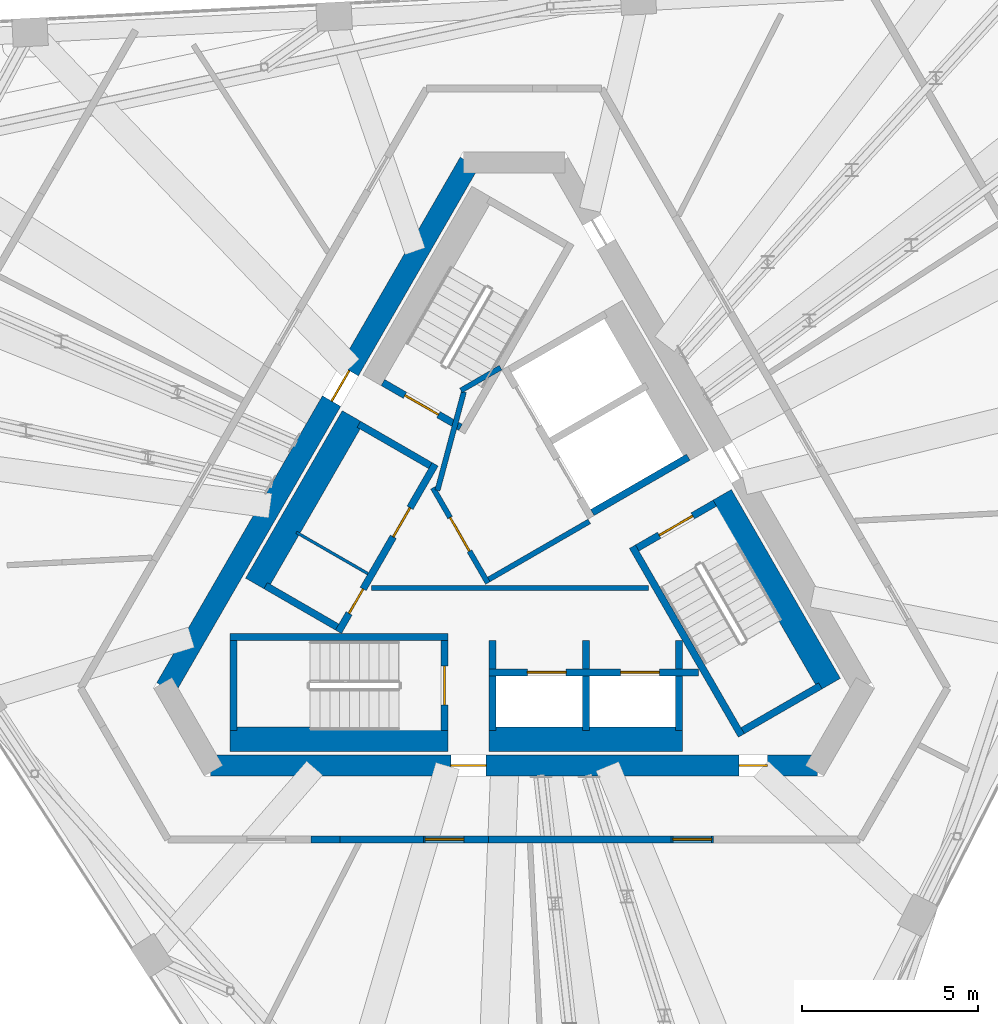
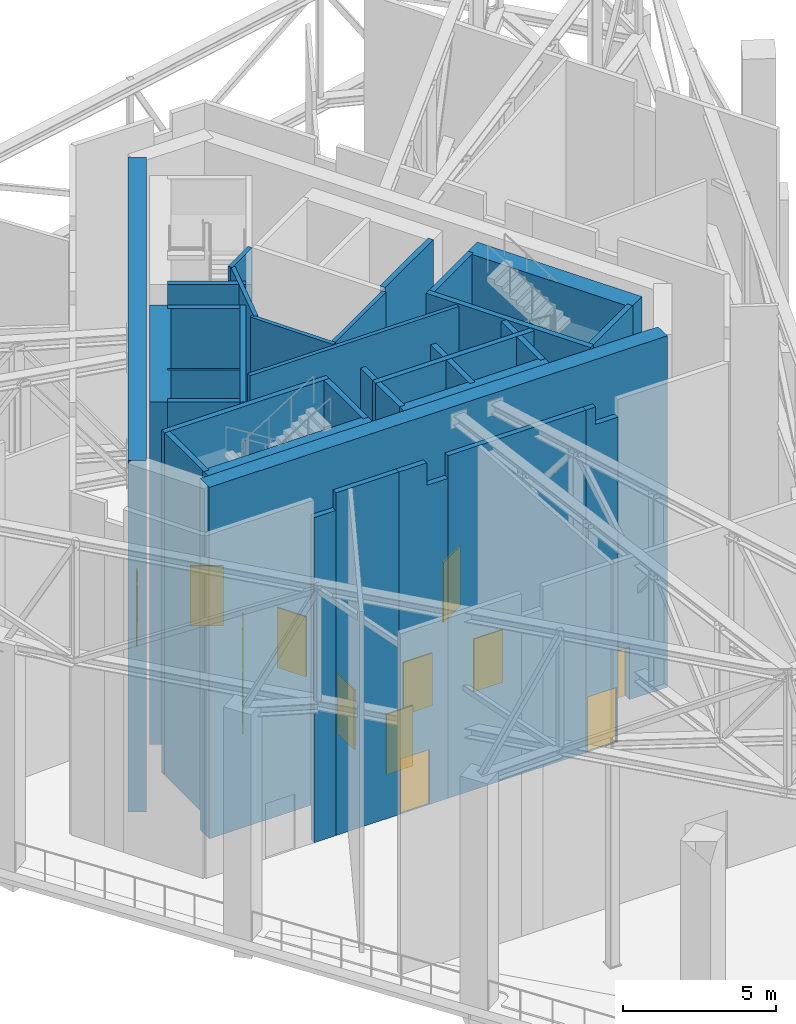
# One storey, part 15 of 23: 35 walls, 13 doors, 13 openings.
"""IFC4 building model written with IfcOpenShell, lengths in metres."""

from ifc_helpers import new_model, si_unit, direction, frame, frame_2d, origin, place, context, subcontext, project, spatial, polyline, rectangle, outline, extrude, material, layer, layer_set, type_object, element, fill, save


model = new_model("IFC4")

# Units and contexts
model_context = context("Model", 3, precision=1e-05, world=origin(), true_north=direction((0.0, 1.0)))
body_context = subcontext(model_context, "Body", "Model", "MODEL_VIEW")
ifc_project = project(units=[si_unit("LENGTHUNIT", "METRE"), si_unit("AREAUNIT", "SQUARE_METRE"), si_unit("VOLUMEUNIT", "CUBIC_METRE"), si_unit("PLANEANGLEUNIT", "RADIAN"), si_unit("MASSUNIT", "GRAM", prefix="KILO")], contexts=[model_context])

# Site, building, storey
site_placement = place(None, origin())
site = spatial("IfcSite", under=ifc_project, at=site_placement, CompositionType="ELEMENT")
building_placement = place(site_placement, origin())
building = spatial("IfcBuilding", under=site, at=building_placement, Name="Tramontana Tower", CompositionType="ELEMENT")
storey_placement = place(building_placement, frame((0.0, 0.0, 306.39990234375)))
storey = spatial("IfcBuildingStorey", under=building, at=storey_placement, Name="L72", CompositionType="ELEMENT", Elevation=306.39990234375)

# Wall, opening, door
ifc_material_1 = material(Name="Concrete 70 MPa", Category="concrete")
ifc_layer_1 = layer(ifc_material_1, 0.60009765625)
ifc_layer_set_1 = layer_set([ifc_layer_1], Name="Core wall 600 70 MPa")
wall_type_1 = type_object("IfcWallType", Name="Core wall 600 70 MPa", PredefinedType="SHEAR", material=ifc_layer_set_1)
wall_1_placement = place(storey_placement, frame((-1.270263671875, 10.699951171875, 0.0), z_axis=(0.0, 0.0, 1.0), x_axis=(-0.499999536116, -0.866025671608, 0.0)))
wall_1 = element("IfcWall", 1, at=wall_1_placement, inside=storey, type_object=wall_type_1, Name="Core wall C1 L72", PredefinedType="SHEAR", context=body_context, shape_type="SweptSolid", body=[
    extrude(rectangle(XDim=17.2626953125, YDim=0.60009765625, at=frame_2d((8.63134765625, 0.0))), origin(), (0.0, 0.0, 1.0), 14.0),
])
opening_1_placement = place(wall_1_placement, frame((6.83642578125, 0.0, 0.0)))
opening_1 = element("IfcOpeningElement", 2, at=opening_1_placement, cuts=wall_1, Name="Opening RG1", PredefinedType="OPENING", context=body_context, shape_type="SweptSolid", body=[
    extrude(rectangle(XDim=1.0, YDim=2.39990234375, at=frame_2d((0.5, 1.199951171875))), frame((0.0, 0.31005859375, 0.0), z_axis=(0.0, -1.0, 0.0), x_axis=(1.0, 0.0, 0.0)), (0.0, 0.0, 1.0), 0.6201171875),
])
ifc_material_2 = material(Name="Painted steel", Category="steel")
door_type_1 = type_object("IfcDoorType", Name="RING DOOR 1000", OperationType="SINGLE_SWING_LEFT", PredefinedType="DOOR", material=ifc_material_2)
door_1_placement = place(opening_1_placement, origin())
door_1 = element("IfcDoor", 3, at=door_1_placement, inside=storey, type_object=door_type_1, Name="Door RG1", OperationType="SINGLE_SWING_RIGHT", OverallHeight=2.39990234375, OverallWidth=1.0, PredefinedType="DOOR", context=body_context, shape_type="SweptSolid", body=[
    extrude(rectangle(XDim=1.0, YDim=2.39990234375, at=frame_2d((0.5, 1.199951171875))), frame((0.0, 0.02490234375, 0.0), z_axis=(0.0, -1.0, 0.0), x_axis=(1.0, 0.0, 0.0)), (0.0, 0.0, 1.0), 0.050048828125),
])
fill(opening_1, door_1)

# Wall, openings, doors
wall_2_placement = place(storey_placement, frame((-8.63134765625, -6.449951171875, 0.0), z_axis=(0.0, 0.0, 1.0), x_axis=(1.0, 0.0, 0.0)))
wall_2 = element("IfcWall", 4, at=wall_2_placement, inside=storey, type_object=wall_type_1, Name="Core wall C3 L72", PredefinedType="SHEAR", context=body_context, shape_type="SweptSolid", body=[
    extrude(rectangle(XDim=17.2626953125, YDim=0.60009765625, at=frame_2d((8.63134765625, 0.0))), origin(), (0.0, 0.0, 1.0), 14.0),
])
opening_2_placement = place(wall_2_placement, frame((6.83642578125, 0.0, 0.0)))
opening_2 = element("IfcOpeningElement", 5, at=opening_2_placement, cuts=wall_2, Name="Opening RG2", PredefinedType="OPENING", context=body_context, shape_type="SweptSolid", body=[
    extrude(rectangle(XDim=1.0, YDim=2.39990234375, at=frame_2d((0.5, 1.199951171875))), frame((0.0, 0.31005859375, 0.0), z_axis=(0.0, -1.0, 0.0), x_axis=(1.0, 0.0, 0.0)), (0.0, 0.0, 1.0), 0.6201171875),
])
opening_3_placement = place(wall_2_placement, frame((15.0341796875, 0.0, 0.0)))
opening_3 = element("IfcOpeningElement", 6, at=opening_3_placement, cuts=wall_2, Name="Opening PD2", PredefinedType="OPENING", context=body_context, shape_type="SweptSolid", body=[
    extrude(rectangle(XDim=0.800048828125, YDim=2.10009765625, at=frame_2d((0.39990234375, 1.050048828125))), frame((0.0, 0.31005859375, 0.0), z_axis=(0.0, -1.0, 0.0), x_axis=(1.0, 0.0, 0.0)), (0.0, 0.0, 1.0), 0.6201171875),
])
ifc_material_3 = material(Name="Painted steel", Category="steel")
door_type_2 = type_object("IfcDoorType", Name="CUPBOARD DOOR 800", OperationType="SINGLE_SWING_LEFT", PredefinedType="DOOR", material=ifc_material_3)
door_2_placement = place(opening_3_placement, origin())
door_2 = element("IfcDoor", 7, at=door_2_placement, inside=storey, type_object=door_type_2, Name="Door PD2", OperationType="SINGLE_SWING_LEFT", OverallHeight=2.10009765625, OverallWidth=0.800048828125, PredefinedType="DOOR", context=body_context, shape_type="SweptSolid", body=[
    extrude(rectangle(XDim=0.800048828125, YDim=2.10009765625, at=frame_2d((0.39990234375, 1.050048828125))), frame((0.0, 0.02490234375, 0.0), z_axis=(0.0, -1.0, 0.0), x_axis=(1.0, 0.0, 0.0)), (0.0, 0.0, 1.0), 0.050048828125),
])
fill(opening_3, door_2)
door_3_placement = place(opening_2_placement, origin())
door_3 = element("IfcDoor", 8, at=door_3_placement, inside=storey, type_object=door_type_1, Name="Door RG2", OperationType="SINGLE_SWING_LEFT", OverallHeight=2.39990234375, OverallWidth=1.0, PredefinedType="DOOR", context=body_context, shape_type="SweptSolid", body=[
    extrude(rectangle(XDim=1.0, YDim=2.39990234375, at=frame_2d((0.5, 1.199951171875))), frame((0.0, 0.02490234375, 0.0), z_axis=(0.0, -1.0, 0.0), x_axis=(1.0, 0.0, 0.0)), (0.0, 0.0, 1.0), 0.050048828125),
])
fill(opening_2, door_3)

# Wall, opening, door
ifc_material_4 = material(Name="Blockwork", Category="masonry")
ifc_layer_2 = layer(ifc_material_4, 0.199951171875)
ifc_layer_set_2 = layer_set([ifc_layer_2], Name="ENTRY WALL 200")
wall_type_2 = type_object("IfcWallType", Name="ENTRY WALL 200", PredefinedType="SOLIDWALL", material=ifc_layer_set_2)
wall_3_placement = place(storey_placement, frame((5.667724609375, -8.550048828125, 0.0), z_axis=(0.0, 0.0, 1.0), x_axis=(-1.0, 0.0, 0.0)))
wall_3 = element("IfcWall", 9, at=wall_3_placement, inside=storey, type_object=wall_type_2, Name="Wall ew1-1", PredefinedType="SOLIDWALL", context=body_context, shape_type="SweptSolid", body=[
    extrude(outline(polyline([(0.0, 0.0), (1.199951171875, 0.0), (1.199951171875, 13.650146484375), (0.83935546875, 13.650146484375), (0.83935546875, 12.9501953125), (0.0, 12.9501953125), (0.0, 0.0)])), frame((0.0, 0.10009765625, 0.0), z_axis=(0.0, -1.0, 0.0), x_axis=(1.0, 0.0, 0.0)), (0.0, 0.0, 1.0), 0.199951171875),
])
opening_4_placement = place(wall_3_placement, frame((0.050048828125, 0.0, 0.0)))
opening_4 = element("IfcOpeningElement", 10, at=opening_4_placement, cuts=wall_3, Name="Opening L72-06", PredefinedType="OPENING", context=body_context, shape_type="SweptSolid", body=[
    extrude(rectangle(XDim=1.10009765625, YDim=2.199951171875, at=frame_2d((0.550048828125, 1.10009765625))), frame((0.0, 0.10986328125, 0.0), z_axis=(0.0, -1.0, 0.0), x_axis=(1.0, 0.0, 0.0)), (0.0, 0.0, 1.0), 0.219970703125),
])
ifc_material_5 = material(Name="Painted steel", Category="steel")
door_type_3 = type_object("IfcDoorType", Name="PLANT DOOR 1100", OperationType="SINGLE_SWING_LEFT", PredefinedType="DOOR", material=ifc_material_5)
door_4_placement = place(opening_4_placement, origin())
door_4 = element("IfcDoor", 11, at=door_4_placement, inside=storey, type_object=door_type_3, Name="Door L72-06", OperationType="SINGLE_SWING_RIGHT", OverallHeight=2.199951171875, OverallWidth=1.10009765625, PredefinedType="DOOR", context=body_context, shape_type="SweptSolid", body=[
    extrude(rectangle(XDim=1.10009765625, YDim=2.199951171875, at=frame_2d((0.550048828125, 1.10009765625))), frame((0.0, 0.02490234375, 0.0), z_axis=(0.0, -1.0, 0.0), x_axis=(1.0, 0.0, 0.0)), (0.0, 0.0, 1.0), 0.050048828125),
])
fill(opening_4, door_4)

# Wall
wall_4_placement = place(storey_placement, frame((4.4677734375, -8.550048828125, 0.0), z_axis=(0.0, 0.0, 1.0), x_axis=(-1.0, 0.0, 0.0)))
element("IfcWall", 12, at=wall_4_placement, inside=storey, type_object=wall_type_2, Name="Wall ew1-2", PredefinedType="SOLIDWALL", context=body_context, shape_type="SweptSolid", body=[
    extrude(rectangle(XDim=5.189453125, YDim=0.199951171875, at=frame_2d((2.5947265625, 0.0))), origin(), (0.0, 0.0, 1.0), 13.650146484375),
])

# Wall, opening, door
wall_5_placement = place(storey_placement, frame((-0.7216796875, -8.550048828125, 0.0), z_axis=(0.0, 0.0, 1.0), x_axis=(-1.0, 0.0, 0.0)))
wall_5 = element("IfcWall", 13, at=wall_5_placement, inside=storey, type_object=wall_type_2, Name="Wall ew1-3", PredefinedType="SOLIDWALL", context=body_context, shape_type="SweptSolid", body=[
    extrude(outline(polyline([(0.0, 0.0), (1.855224609375, 0.0), (1.855224609375, 13.650146484375), (0.806884765625, 13.650146484375), (0.806884765625, 12.75), (0.0, 12.75), (0.0, 0.0)])), frame((0.0, 0.10009765625, 0.0), z_axis=(0.0, -1.0, 0.0), x_axis=(1.0, 0.0, 0.0)), (0.0, 0.0, 1.0), 0.199951171875),
])
opening_5_placement = place(wall_5_placement, frame((0.705322265625, 0.0, 0.0)))
opening_5 = element("IfcOpeningElement", 14, at=opening_5_placement, cuts=wall_5, Name="Opening L72-05", PredefinedType="OPENING", context=body_context, shape_type="SweptSolid", body=[
    extrude(rectangle(XDim=1.10009765625, YDim=2.199951171875, at=frame_2d((0.550048828125, 1.10009765625))), frame((0.0, 0.10986328125, 0.0), z_axis=(0.0, -1.0, 0.0), x_axis=(1.0, 0.0, 0.0)), (0.0, 0.0, 1.0), 0.219970703125),
])
door_5_placement = place(opening_5_placement, origin())
door_5 = element("IfcDoor", 15, at=door_5_placement, inside=storey, type_object=door_type_3, Name="Door L72-05", OperationType="SINGLE_SWING_LEFT", OverallHeight=2.199951171875, OverallWidth=1.10009765625, PredefinedType="DOOR", context=body_context, shape_type="SweptSolid", body=[
    extrude(rectangle(XDim=1.10009765625, YDim=2.199951171875, at=frame_2d((0.550048828125, 1.10009765625))), frame((0.0, 0.02490234375, 0.0), z_axis=(0.0, -1.0, 0.0), x_axis=(1.0, 0.0, 0.0)), (0.0, 0.0, 1.0), 0.050048828125),
])
fill(opening_5, door_5)

# Walls
wall_6_placement = place(storey_placement, frame((-2.576904296875, -8.550048828125, 0.0), z_axis=(0.0, 0.0, 1.0), x_axis=(-1.0, 0.0, 0.0)))
element("IfcWall", 16, at=wall_6_placement, inside=storey, type_object=wall_type_2, Name="Wall ew1-4", PredefinedType="SOLIDWALL", context=body_context, shape_type="SweptSolid", body=[
    extrude(rectangle(XDim=2.374755859375, YDim=0.199951171875, at=frame_2d((1.1875, 0.0))), origin(), (0.0, 0.0, 1.0), 13.650146484375),
])
wall_7_placement = place(storey_placement, frame((-4.95166015625, -8.550048828125, 0.0), z_axis=(0.0, 0.0, 1.0), x_axis=(-1.0, 0.0, 0.0)))
element("IfcWall", 17, at=wall_7_placement, inside=storey, type_object=wall_type_2, Name="Wall ew1-5", PredefinedType="SOLIDWALL", context=body_context, shape_type="SweptSolid", body=[
    extrude(rectangle(XDim=0.826416015625, YDim=0.199951171875, at=frame_2d((0.4130859375, 0.0))), origin(), (0.0, 0.0, 1.0), 12.9501953125),
])

# Wall, opening, door
ifc_material_6 = material(Name="Gypsum board partition")
ifc_layer_3 = layer(ifc_material_6, 0.14990234375)
ifc_layer_set_3 = layer_set([ifc_layer_3], Name="PARTITION 150")
wall_type_3 = type_object("IfcWallType", Name="PARTITION 150", PredefinedType="PARTITIONING", material=ifc_layer_set_3)
wall_8_placement = place(storey_placement, frame((-0.744140625, -1.260986328125, 0.0), z_axis=(0.0, 0.0, 1.0), x_axis=(-0.500004234368, 0.866022959057, 0.0)))
wall_8 = element("IfcWall", 18, at=wall_8_placement, inside=storey, type_object=wall_type_3, Name="Wall ff-front", PredefinedType="PARTITIONING", context=body_context, shape_type="SweptSolid", body=[
    extrude(rectangle(XDim=3.125, YDim=0.14990234375, at=frame_2d((1.5625, 0.0))), origin(), (0.0, 0.0, 1.0), 13.650146484375),
])
opening_6_placement = place(wall_8_placement, frame((1.050048828125, 0.0, 0.0)))
opening_6 = element("IfcOpeningElement", 19, at=opening_6_placement, cuts=wall_8, Name="Opening FD1", PredefinedType="OPENING", context=body_context, shape_type="SweptSolid", body=[
    extrude(rectangle(XDim=1.10009765625, YDim=2.39990234375, at=frame_2d((0.550048828125, 1.199951171875))), frame((0.0, 0.0849609375, 0.0), z_axis=(0.0, -1.0, 0.0), x_axis=(1.0, 0.0, 0.0)), (0.0, 0.0, 1.0), 0.169921875),
])
ifc_material_7 = material(Name="Painted timber", Category="wood")
door_type_4 = type_object("IfcDoorType", Name="DOOR ENTRY 1100", OperationType="SINGLE_SWING_LEFT", PredefinedType="DOOR", material=ifc_material_7)
door_6_placement = place(opening_6_placement, origin())
door_6 = element("IfcDoor", 20, at=door_6_placement, inside=storey, type_object=door_type_4, Name="Door FD1", OperationType="SINGLE_SWING_LEFT", OverallHeight=2.39990234375, OverallWidth=1.10009765625, PredefinedType="DOOR", context=body_context, shape_type="SweptSolid", body=[
    extrude(rectangle(XDim=1.10009765625, YDim=2.39990234375, at=frame_2d((0.550048828125, 1.199951171875))), frame((0.0, 0.02490234375, 0.0), z_axis=(0.0, -1.0, 0.0), x_axis=(1.0, 0.0, 0.0)), (0.0, 0.0, 1.0), 0.050048828125),
])
fill(opening_6, door_6)

# Walls
wall_9_placement = place(storey_placement, frame((-0.716796875, -1.15869140625, 0.0), z_axis=(0.0, 0.0, 1.0), x_axis=(0.866008176907, 0.50002983664, 0.0)))
element("IfcWall", 21, at=wall_9_placement, inside=storey, type_object=wall_type_3, Name="Wall ff-end0", PredefinedType="PARTITIONING", context=body_context, shape_type="SweptSolid", body=[
    extrude(rectangle(XDim=3.300048828125, YDim=0.14990234375, at=frame_2d((1.64990234375, 0.0))), origin(), (0.0, 0.0, 1.0), 13.650146484375),
])
wall_10_placement = place(storey_placement, frame((-2.177978515625, 1.372314453125, 0.0), z_axis=(0.0, 0.0, 1.0), x_axis=(0.258808958833, 0.96592852884, 0.0)))
element("IfcWall", 22, at=wall_10_placement, inside=storey, type_object=wall_type_3, Name="Wall ff-diag", PredefinedType="PARTITIONING", context=body_context, shape_type="SweptSolid", body=[
    extrude(rectangle(XDim=2.902587890625, YDim=0.14990234375, at=frame_2d((1.451171875, 0.0))), origin(), (0.0, 0.0, 1.0), 13.650146484375),
])
wall_11_placement = place(storey_placement, frame((-1.509765625, 4.21484375, 0.0), z_axis=(0.0, 0.0, 1.0), x_axis=(0.866085525409, 0.49989585183, 0.0)))
element("IfcWall", 23, at=wall_11_placement, inside=storey, type_object=wall_type_3, Name="Wall ff-end1", PredefinedType="PARTITIONING", context=body_context, shape_type="SweptSolid", body=[
    extrude(rectangle(XDim=1.300048828125, YDim=0.14990234375, at=frame_2d((0.64990234375, 0.0))), origin(), (0.0, 0.0, 1.0), 13.650146484375),
])
wall_12_placement = place(storey_placement, frame((-4.053466796875, -1.39990234375, 0.0), z_axis=(0.0, 0.0, 1.0), x_axis=(1.0, 0.0, 0.0)))
element("IfcWall", 24, at=wall_12_placement, inside=storey, type_object=wall_type_3, Name="Wall hub-cut1", PredefinedType="PARTITIONING", context=body_context, shape_type="SweptSolid", body=[
    extrude(rectangle(XDim=7.8759765625, YDim=0.14990234375, at=frame_2d((3.93798828125, 0.0))), origin(), (0.0, 0.0, 1.0), 13.650146484375),
])
ifc_material_8 = material(Name="Gypsum board partition")
ifc_layer_4 = layer(ifc_material_8, 0.080078125)
ifc_layer_set_4 = layer_set([ifc_layer_4], Name="PARTITION 80")
wall_type_4 = type_object("IfcWallType", Name="PARTITION 80", PredefinedType="PARTITIONING", material=ifc_layer_set_4)
wall_13_placement = place(storey_placement, frame((-4.15478515625, -0.99609375, 0.0), z_axis=(0.0, 0.0, 1.0), x_axis=(-0.866016039709, 0.500016218704, 0.0)))
element("IfcWall", 25, at=wall_13_placement, inside=storey, type_object=wall_type_4, Name="Wall row0-split", PredefinedType="PARTITIONING", context=body_context, shape_type="SweptSolid", body=[
    extrude(rectangle(XDim=2.35009765625, YDim=0.080078125, at=frame_2d((1.175048828125, 0.0))), origin(), (0.0, 0.0, 1.0), 13.650146484375),
])
ifc_material_9 = material(Name="Concrete 70 MPa", Category="concrete")
ifc_layer_5 = layer(ifc_material_9, 0.699951171875)
ifc_layer_set_5 = layer_set([ifc_layer_5], Name="Concrete 70 MPa, 700 mm")
wall_type_5 = type_object("IfcWallType", Name="RC SHAFT BACK WALL 700", PredefinedType="SOLIDWALL", material=ifc_layer_set_5)
wall_14_placement = place(storey_placement, frame((-8.080078125, -5.699951171875, 0.0), z_axis=(0.0, 0.0, 1.0), x_axis=(1.0, 0.0, 0.0)))
element("IfcWall", 26, at=wall_14_placement, inside=storey, type_object=wall_type_5, Name="Wall st2-back", PredefinedType="SOLIDWALL", context=body_context, shape_type="SweptSolid", body=[
    extrude(rectangle(XDim=6.2001953125, YDim=0.699951171875, at=frame_2d((3.10009765625, 0.0))), origin(), (0.0, 0.0, 1.0), 13.650146484375),
])
wall_15_placement = place(storey_placement, frame((8.976318359375, -4.1474609375, 0.0), z_axis=(0.0, 0.0, 1.0), x_axis=(-0.49998037582, 0.866036733513, 0.0)))
element("IfcWall", 27, at=wall_15_placement, inside=storey, type_object=wall_type_5, Name="Wall st3-back", PredefinedType="SOLIDWALL", context=body_context, shape_type="SweptSolid", body=[
    extrude(rectangle(XDim=6.199951171875, YDim=0.699951171875, at=frame_2d((3.10009765625, 0.0))), origin(), (0.0, 0.0, 1.0), 13.650146484375),
])
for number, where, z_axis, x_axis, name in (
    (28, (-4.581298828125, 3.46484375, 0.0), (0.0, 0.0, 1.0), (-0.499996545922, -0.866027397988, 0.0), "Wall row0-back"),
    (29, (-0.7099609375, -5.699951171875, 0.0), (0.0, 0.0, 1.0), (1.0, 0.0, 0.0), "Wall row1-back"),
):
    element("IfcWall", number, at=place(storey_placement, frame(where, z_axis=z_axis, x_axis=x_axis)), inside=storey, type_object=wall_type_5, Name=name, PredefinedType="SOLIDWALL", context=body_context, shape_type="SweptSolid", body=[
        extrude(rectangle(XDim=5.5, YDim=0.699951171875, at=frame_2d((2.75, 0.0))), origin(), (0.0, 0.0, 1.0), 13.650146484375),
    ])

# Wall, opening, door
ifc_material_10 = material(Name="Concrete 70 MPa", Category="concrete")
ifc_layer_6 = layer(ifc_material_10, 0.199951171875)
ifc_layer_set_6 = layer_set([ifc_layer_6], Name="Concrete 70 MPa, 200 mm")
wall_type_6 = type_object("IfcWallType", Name="RC STAIR AND SHAFT WALL 200", PredefinedType="SOLIDWALL", material=ifc_layer_set_6)
wall_16_placement = place(storey_placement, frame((-1.521484375, 3.164794921875, 0.0), z_axis=(0.0, 0.0, 1.0), x_axis=(-0.866030925526, 0.499990435942, 0.0)))
wall_16 = element("IfcWall", 30, at=wall_16_placement, inside=storey, type_object=wall_type_6, Name="Wall st1-near", PredefinedType="SOLIDWALL", context=body_context, shape_type="SweptSolid", body=[
    extrude(rectangle(XDim=2.5498046875, YDim=0.199951171875, at=frame_2d((1.27490234375, 0.0))), origin(), (0.0, 0.0, 1.0), 13.650146484375),
])
opening_7_placement = place(wall_16_placement, frame((0.72509765625, 0.0, 0.0)))
opening_7 = element("IfcOpeningElement", 31, at=opening_7_placement, cuts=wall_16, Name="Opening SD1", PredefinedType="OPENING", context=body_context, shape_type="SweptSolid", body=[
    extrude(rectangle(XDim=1.10009765625, YDim=2.39990234375, at=frame_2d((0.550048828125, 1.199951171875))), frame((0.0, 0.10986328125, 0.0), z_axis=(0.0, -1.0, 0.0), x_axis=(1.0, 0.0, 0.0)), (0.0, 0.0, 1.0), 0.219970703125),
])
ifc_material_11 = material(Name="Painted steel", Category="steel")
door_type_5 = type_object("IfcDoorType", Name="STAIR DOOR 1100", OperationType="SINGLE_SWING_LEFT", PredefinedType="DOOR", material=ifc_material_11)
door_7_placement = place(opening_7_placement, origin())
door_7 = element("IfcDoor", 32, at=door_7_placement, inside=storey, type_object=door_type_5, Name="Door SD1", OperationType="SINGLE_SWING_RIGHT", OverallHeight=2.39990234375, OverallWidth=1.10009765625, PredefinedType="DOOR", context=body_context, shape_type="SweptSolid", body=[
    extrude(rectangle(XDim=1.10009765625, YDim=2.39990234375, at=frame_2d((0.550048828125, 1.199951171875))), frame((0.0, 0.02490234375, 0.0), z_axis=(0.0, -1.0, 0.0), x_axis=(1.0, 0.0, 0.0)), (0.0, 0.0, 1.0), 0.050048828125),
])
fill(opening_7, door_7)

# Walls
wall_17_placement = place(storey_placement, frame((-8.080078125, -2.800048828125, 0.0), z_axis=(0.0, 0.0, 1.0), x_axis=(1.0, 0.0, 0.0)))
element("IfcWall", 33, at=wall_17_placement, inside=storey, type_object=wall_type_6, Name="Wall st2-front", PredefinedType="SOLIDWALL", context=body_context, shape_type="SweptSolid", body=[
    extrude(rectangle(XDim=6.2001953125, YDim=0.199951171875, at=frame_2d((3.10009765625, 0.0))), origin(), (0.0, 0.0, 1.0), 13.650146484375),
])
wall_18_placement = place(storey_placement, frame((-7.97998046875, -2.89990234375, 0.0), z_axis=(0.0, 0.0, 1.0), x_axis=(0.0, -1.0, 0.0)))
element("IfcWall", 34, at=wall_18_placement, inside=storey, type_object=wall_type_6, Name="Wall st2-far", PredefinedType="SOLIDWALL", context=body_context, shape_type="SweptSolid", body=[
    extrude(rectangle(XDim=2.550048828125, YDim=0.199951171875, at=frame_2d((1.27490234375, 0.0))), origin(), (0.0, 0.0, 1.0), 13.650146484375),
])

# Wall, opening, door
wall_19_placement = place(storey_placement, frame((-1.97998046875, -2.89990234375, 0.0), z_axis=(0.0, 0.0, 1.0), x_axis=(0.0, -1.0, 0.0)))
wall_19 = element("IfcWall", 35, at=wall_19_placement, inside=storey, type_object=wall_type_6, Name="Wall st2-near", PredefinedType="SOLIDWALL", context=body_context, shape_type="SweptSolid", body=[
    extrude(rectangle(XDim=2.550048828125, YDim=0.199951171875, at=frame_2d((1.27490234375, 0.0))), origin(), (0.0, 0.0, 1.0), 13.650146484375),
])
opening_8_placement = place(wall_19_placement, frame((0.72509765625, 0.0, 0.0)))
opening_8 = element("IfcOpeningElement", 36, at=opening_8_placement, cuts=wall_19, Name="Opening SD2", PredefinedType="OPENING", context=body_context, shape_type="SweptSolid", body=[
    extrude(rectangle(XDim=1.10009765625, YDim=2.39990234375, at=frame_2d((0.550048828125, 1.199951171875))), frame((0.0, 0.10986328125, 0.0), z_axis=(0.0, -1.0, 0.0), x_axis=(1.0, 0.0, 0.0)), (0.0, 0.0, 1.0), 0.219970703125),
])
door_8_placement = place(opening_8_placement, origin())
door_8 = element("IfcDoor", 37, at=door_8_placement, inside=storey, type_object=door_type_5, Name="Door SD2", OperationType="SINGLE_SWING_LEFT", OverallHeight=2.39990234375, OverallWidth=1.10009765625, PredefinedType="DOOR", context=body_context, shape_type="SweptSolid", body=[
    extrude(rectangle(XDim=1.10009765625, YDim=2.39990234375, at=frame_2d((0.550048828125, 1.199951171875))), frame((0.0, 0.02490234375, 0.0), z_axis=(0.0, -1.0, 0.0), x_axis=(1.0, 0.0, 0.0)), (0.0, 0.0, 1.0), 0.050048828125),
])
fill(opening_8, door_8)

# Walls
wall_20_placement = place(storey_placement, frame((6.46484375, -5.597412109375, 0.0), z_axis=(0.0, 0.0, 1.0), x_axis=(-0.49998037582, 0.866036733513, 0.0)))
element("IfcWall", 38, at=wall_20_placement, inside=storey, type_object=wall_type_6, Name="Wall st3-front", PredefinedType="SOLIDWALL", context=body_context, shape_type="SweptSolid", body=[
    extrude(rectangle(XDim=6.199951171875, YDim=0.199951171875, at=frame_2d((3.10009765625, 0.0))), origin(), (0.0, 0.0, 1.0), 13.650146484375),
])
wall_21_placement = place(storey_placement, frame((6.50146484375, -5.4609375, 0.0), z_axis=(0.0, 0.0, 1.0), x_axis=(0.865989465428, 0.500062241894, 0.0)))
element("IfcWall", 39, at=wall_21_placement, inside=storey, type_object=wall_type_6, Name="Wall st3-far", PredefinedType="SOLIDWALL", context=body_context, shape_type="SweptSolid", body=[
    extrude(rectangle(XDim=2.550048828125, YDim=0.199951171875, at=frame_2d((1.27490234375, 0.0))), origin(), (0.0, 0.0, 1.0), 13.650146484375),
])

# Wall, opening, door
wall_22_placement = place(storey_placement, frame((3.50146484375, -0.2646484375, 0.0), z_axis=(0.0, 0.0, 1.0), x_axis=(0.866030925526, 0.499990435942, 0.0)))
wall_22 = element("IfcWall", 40, at=wall_22_placement, inside=storey, type_object=wall_type_6, Name="Wall st3-near", PredefinedType="SOLIDWALL", context=body_context, shape_type="SweptSolid", body=[
    extrude(rectangle(XDim=2.5498046875, YDim=0.199951171875, at=frame_2d((1.27490234375, 0.0))), origin(), (0.0, 0.0, 1.0), 13.650146484375),
])
opening_9_placement = place(wall_22_placement, frame((0.72509765625, 0.0, 0.0)))
opening_9 = element("IfcOpeningElement", 41, at=opening_9_placement, cuts=wall_22, Name="Opening SD3", PredefinedType="OPENING", context=body_context, shape_type="SweptSolid", body=[
    extrude(rectangle(XDim=1.10009765625, YDim=2.39990234375, at=frame_2d((0.550048828125, 1.199951171875))), frame((0.0, 0.10986328125, 0.0), z_axis=(0.0, -1.0, 0.0), x_axis=(1.0, 0.0, 0.0)), (0.0, 0.0, 1.0), 0.219970703125),
])
door_9_placement = place(opening_9_placement, origin())
door_9 = element("IfcDoor", 42, at=door_9_placement, inside=storey, type_object=door_type_5, Name="Door SD3", OperationType="SINGLE_SWING_RIGHT", OverallHeight=2.39990234375, OverallWidth=1.10009765625, PredefinedType="DOOR", context=body_context, shape_type="SweptSolid", body=[
    extrude(rectangle(XDim=1.10009765625, YDim=2.39990234375, at=frame_2d((0.550048828125, 1.199951171875))), frame((0.0, 0.02490234375, 0.0), z_axis=(0.0, -1.0, 0.0), x_axis=(1.0, 0.0, 0.0)), (0.0, 0.0, 1.0), 0.050048828125),
])
fill(opening_9, door_9)

# Wall, openings, doors
wall_23_placement = place(storey_placement, frame((-4.9931640625, -2.648193359375, 0.0), z_axis=(0.0, 0.0, 1.0), x_axis=(0.499996545922, 0.866027397988, 0.0)))
wall_23 = element("IfcWall", 43, at=wall_23_placement, inside=storey, type_object=wall_type_6, Name="Wall row0-front", PredefinedType="SOLIDWALL", context=body_context, shape_type="SweptSolid", body=[
    extrude(rectangle(XDim=5.5, YDim=0.199951171875, at=frame_2d((2.75, 0.0))), origin(), (0.0, 0.0, 1.0), 13.650146484375),
])
opening_10_placement = place(wall_23_placement, frame((3.1201171875, 0.0, 0.0)))
opening_10 = element("IfcOpeningElement", 44, at=opening_10_placement, cuts=wall_23, Name="Opening RD-0A", PredefinedType="OPENING", context=body_context, shape_type="SweptSolid", body=[
    extrude(rectangle(XDim=0.949951171875, YDim=2.39990234375, at=frame_2d((0.47509765625, 1.199951171875))), frame((0.0, 0.10986328125, 0.0), z_axis=(0.0, -1.0, 0.0), x_axis=(1.0, 0.0, 0.0)), (0.0, 0.0, 1.0), 0.219970703125),
])
opening_11_placement = place(wall_23_placement, frame((0.60498046875, 0.0, 0.0)))
opening_11 = element("IfcOpeningElement", 45, at=opening_11_placement, cuts=wall_23, Name="Opening RD-0B", PredefinedType="OPENING", context=body_context, shape_type="SweptSolid", body=[
    extrude(rectangle(XDim=0.800048828125, YDim=2.10009765625, at=frame_2d((0.39990234375, 1.050048828125))), frame((0.0, 0.10986328125, 0.0), z_axis=(0.0, -1.0, 0.0), x_axis=(1.0, 0.0, 0.0)), (0.0, 0.0, 1.0), 0.219970703125),
])
door_10_placement = place(opening_11_placement, origin())
door_10 = element("IfcDoor", 46, at=door_10_placement, inside=storey, type_object=door_type_2, Name="Door RD-0B", OperationType="SINGLE_SWING_RIGHT", OverallHeight=2.10009765625, OverallWidth=0.800048828125, PredefinedType="DOOR", context=body_context, shape_type="SweptSolid", body=[
    extrude(rectangle(XDim=0.800048828125, YDim=2.10009765625, at=frame_2d((0.39990234375, 1.050048828125))), frame((0.0, 0.02490234375, 0.0), z_axis=(0.0, -1.0, 0.0), x_axis=(1.0, 0.0, 0.0)), (0.0, 0.0, 1.0), 0.050048828125),
])
fill(opening_11, door_10)
ifc_material_12 = material(Name="Painted timber", Category="wood")
door_type_6 = type_object("IfcDoorType", Name="DOOR ROOM 950", OperationType="SINGLE_SWING_LEFT", PredefinedType="DOOR", material=ifc_material_12)
door_11_placement = place(opening_10_placement, origin())
door_11 = element("IfcDoor", 47, at=door_11_placement, inside=storey, type_object=door_type_6, Name="Door RD-0A", OperationType="SINGLE_SWING_LEFT", OverallHeight=2.39990234375, OverallWidth=0.949951171875, PredefinedType="DOOR", context=body_context, shape_type="SweptSolid", body=[
    extrude(rectangle(XDim=0.949951171875, YDim=2.39990234375, at=frame_2d((0.47509765625, 1.199951171875))), frame((0.0, 0.02490234375, 0.0), z_axis=(0.0, -1.0, 0.0), x_axis=(1.0, 0.0, 0.0)), (0.0, 0.0, 1.0), 0.050048828125),
])
fill(opening_10, door_11)

# Walls
wall_24_placement = place(storey_placement, frame((-2.379638671875, 2.078369140625, 0.0), z_axis=(0.0, 0.0, 1.0), x_axis=(-0.866061024631, 0.499938297808, 0.0)))
element("IfcWall", 48, at=wall_24_placement, inside=storey, type_object=wall_type_6, Name="Wall row0-side0", PredefinedType="SOLIDWALL", context=body_context, shape_type="SweptSolid", body=[
    extrude(rectangle(XDim=2.349853515625, YDim=0.199951171875, at=frame_2d((1.1748046875, 0.0))), origin(), (0.0, 0.0, 1.0), 13.650146484375),
])
wall_25_placement = place(storey_placement, frame((-5.02978515625, -2.51171875, 0.0), z_axis=(0.0, 0.0, 1.0), x_axis=(-0.866016039709, 0.500016218704, 0.0)))
element("IfcWall", 49, at=wall_25_placement, inside=storey, type_object=wall_type_6, Name="Wall row0-side2", PredefinedType="SOLIDWALL", context=body_context, shape_type="SweptSolid", body=[
    extrude(rectangle(XDim=2.35009765625, YDim=0.199951171875, at=frame_2d((1.175048828125, 0.0))), origin(), (0.0, 0.0, 1.0), 13.650146484375),
])

# Wall, openings, doors
wall_26_placement = place(storey_placement, frame((-0.7099609375, -3.800048828125, 0.0), z_axis=(0.0, 0.0, 1.0), x_axis=(1.0, 0.0, 0.0)))
wall_26 = element("IfcWall", 50, at=wall_26_placement, inside=storey, type_object=wall_type_6, Name="Wall row1-front", PredefinedType="SOLIDWALL", context=body_context, shape_type="SweptSolid", body=[
    extrude(rectangle(XDim=5.96142578125, YDim=0.199951171875, at=frame_2d((2.980712890625, 0.0))), origin(), (0.0, 0.0, 1.0), 13.650146484375),
])
opening_12_placement = place(wall_26_placement, frame((1.090087890625, 0.0, 0.0)))
opening_12 = element("IfcOpeningElement", 51, at=opening_12_placement, cuts=wall_26, Name="Opening LD-S1", PredefinedType="OPENING", context=body_context, shape_type="SweptSolid", body=[
    extrude(rectangle(XDim=1.10009765625, YDim=2.10009765625, at=frame_2d((0.550048828125, 1.050048828125))), frame((0.0, 0.10986328125, 0.0), z_axis=(0.0, -1.0, 0.0), x_axis=(1.0, 0.0, 0.0)), (0.0, 0.0, 1.0), 0.219970703125),
])
opening_13_placement = place(wall_26_placement, frame((3.739990234375, 0.0, 0.0)))
opening_13 = element("IfcOpeningElement", 52, at=opening_13_placement, cuts=wall_26, Name="Opening LD-S2", PredefinedType="OPENING", context=body_context, shape_type="SweptSolid", body=[
    extrude(rectangle(XDim=1.10009765625, YDim=2.10009765625, at=frame_2d((0.550048828125, 1.050048828125))), frame((0.0, 0.10986328125, 0.0), z_axis=(0.0, -1.0, 0.0), x_axis=(1.0, 0.0, 0.0)), (0.0, 0.0, 1.0), 0.219970703125),
])
ifc_material_13 = material(Name="Brushed steel", Category="steel")
door_type_7 = type_object("IfcDoorType", Name="LANDING DOOR 1100", OperationType="SINGLE_SWING_LEFT", PredefinedType="DOOR", material=ifc_material_13)
door_12_placement = place(opening_12_placement, origin())
door_12 = element("IfcDoor", 53, at=door_12_placement, inside=storey, type_object=door_type_7, Name="Door LD-S1", OperationType="SLIDING_TO_LEFT", OverallHeight=2.10009765625, OverallWidth=1.10009765625, PredefinedType="DOOR", context=body_context, shape_type="SweptSolid", body=[
    extrude(rectangle(XDim=1.10009765625, YDim=2.10009765625, at=frame_2d((0.550048828125, 1.050048828125))), frame((0.0, 0.02490234375, 0.0), z_axis=(0.0, -1.0, 0.0), x_axis=(1.0, 0.0, 0.0)), (0.0, 0.0, 1.0), 0.050048828125),
])
fill(opening_12, door_12)
door_13_placement = place(opening_13_placement, origin())
door_13 = element("IfcDoor", 54, at=door_13_placement, inside=storey, type_object=door_type_7, Name="Door LD-S2", OperationType="SLIDING_TO_RIGHT", OverallHeight=2.10009765625, OverallWidth=1.10009765625, PredefinedType="DOOR", context=body_context, shape_type="SweptSolid", body=[
    extrude(rectangle(XDim=1.10009765625, YDim=2.10009765625, at=frame_2d((0.550048828125, 1.050048828125))), frame((0.0, 0.02490234375, 0.0), z_axis=(0.0, -1.0, 0.0), x_axis=(1.0, 0.0, 0.0)), (0.0, 0.0, 1.0), 0.050048828125),
])
fill(opening_13, door_13)

# Walls
wall_27_placement = place(storey_placement, frame((-0.610107421875, -3.89990234375, 0.0), z_axis=(0.0, 0.0, 1.0), x_axis=(0.0, -1.0, 0.0)))
element("IfcWall", 55, at=wall_27_placement, inside=storey, type_object=wall_type_6, Name="Wall row1-side0", PredefinedType="SOLIDWALL", context=body_context, shape_type="SweptSolid", body=[
    extrude(rectangle(XDim=1.550048828125, YDim=0.199951171875, at=frame_2d((0.77490234375, 0.0))), origin(), (0.0, 0.0, 1.0), 13.650146484375),
])
wall_28_placement = place(storey_placement, frame((-0.610107421875, -2.89990234375, 0.0), z_axis=(0.0, 0.0, 1.0), x_axis=(0.0, -1.0, 0.0)))
element("IfcWall", 56, at=wall_28_placement, inside=storey, type_object=wall_type_6, Name="Wall row1-side0-ret", PredefinedType="SOLIDWALL", context=body_context, shape_type="SweptSolid", body=[
    extrude(rectangle(XDim=0.800048828125, YDim=0.199951171875, at=frame_2d((0.39990234375, 0.0))), origin(), (0.0, 0.0, 1.0), 13.650146484375),
])
wall_29_placement = place(storey_placement, frame((2.0400390625, -3.89990234375, 0.0), z_axis=(0.0, 0.0, 1.0), x_axis=(0.0, -1.0, 0.0)))
element("IfcWall", 57, at=wall_29_placement, inside=storey, type_object=wall_type_6, Name="Wall row1-side1", PredefinedType="SOLIDWALL", context=body_context, shape_type="SweptSolid", body=[
    extrude(rectangle(XDim=1.550048828125, YDim=0.199951171875, at=frame_2d((0.77490234375, 0.0))), origin(), (0.0, 0.0, 1.0), 13.650146484375),
])
wall_30_placement = place(storey_placement, frame((2.0400390625, -2.89990234375, 0.0), z_axis=(0.0, 0.0, 1.0), x_axis=(0.0, -1.0, 0.0)))
element("IfcWall", 58, at=wall_30_placement, inside=storey, type_object=wall_type_6, Name="Wall row1-side1-ret", PredefinedType="SOLIDWALL", context=body_context, shape_type="SweptSolid", body=[
    extrude(rectangle(XDim=0.800048828125, YDim=0.199951171875, at=frame_2d((0.39990234375, 0.0))), origin(), (0.0, 0.0, 1.0), 13.650146484375),
])
wall_31_placement = place(storey_placement, frame((4.68994140625, -3.89990234375, 0.0), z_axis=(0.0, 0.0, 1.0), x_axis=(0.0, -1.0, 0.0)))
element("IfcWall", 59, at=wall_31_placement, inside=storey, type_object=wall_type_6, Name="Wall row1-side2", PredefinedType="SOLIDWALL", context=body_context, shape_type="SweptSolid", body=[
    extrude(rectangle(XDim=1.550048828125, YDim=0.199951171875, at=frame_2d((0.77490234375, 0.0))), origin(), (0.0, 0.0, 1.0), 13.650146484375),
])
wall_32_placement = place(storey_placement, frame((4.68994140625, -2.89990234375, 0.0), z_axis=(0.0, 0.0, 1.0), x_axis=(0.0, -1.0, 0.0)))
element("IfcWall", 60, at=wall_32_placement, inside=storey, type_object=wall_type_6, Name="Wall row1-side2-ret", PredefinedType="SOLIDWALL", context=body_context, shape_type="SweptSolid", body=[
    extrude(rectangle(XDim=0.800048828125, YDim=0.199951171875, at=frame_2d((0.39990234375, 0.0))), origin(), (0.0, 0.0, 1.0), 13.650146484375),
])
wall_33_placement = place(storey_placement, frame((2.226806640625, 0.742919921875, 0.0), z_axis=(0.0, 0.0, 1.0), x_axis=(0.866035871367, 0.499981869177, 0.0)))
element("IfcWall", 61, at=wall_33_placement, inside=storey, type_object=wall_type_6, Name="Wall row2-side0", PredefinedType="SOLIDWALL", context=body_context, shape_type="SweptSolid", body=[
    extrude(rectangle(XDim=3.14990234375, YDim=0.199951171875, at=frame_2d((1.574951171875, 0.0))), origin(), (0.0, 0.0, 1.0), 13.650146484375),
])

save(model, "model.ifc")
